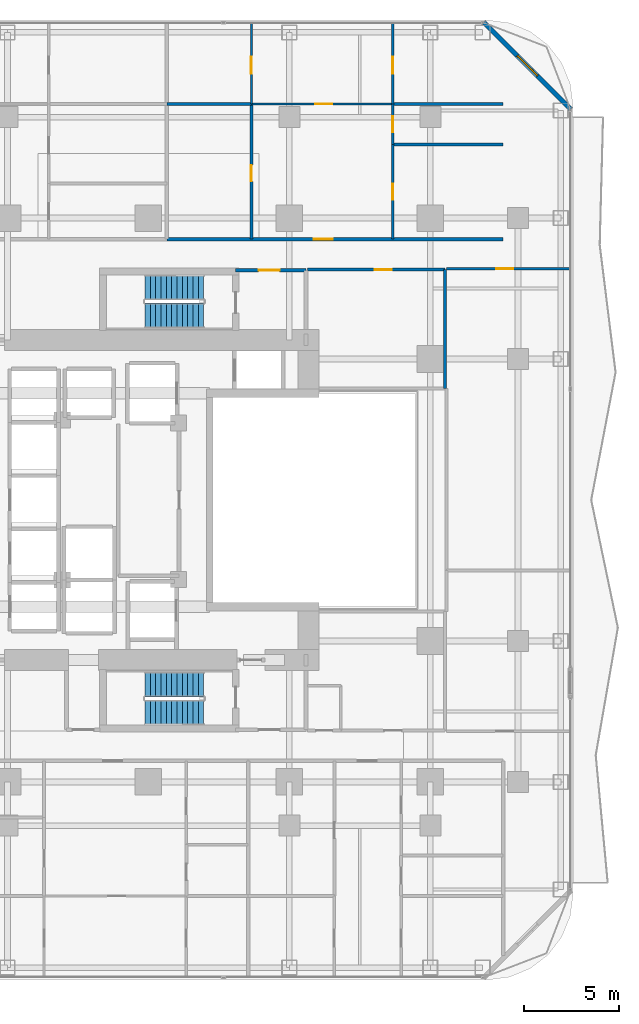
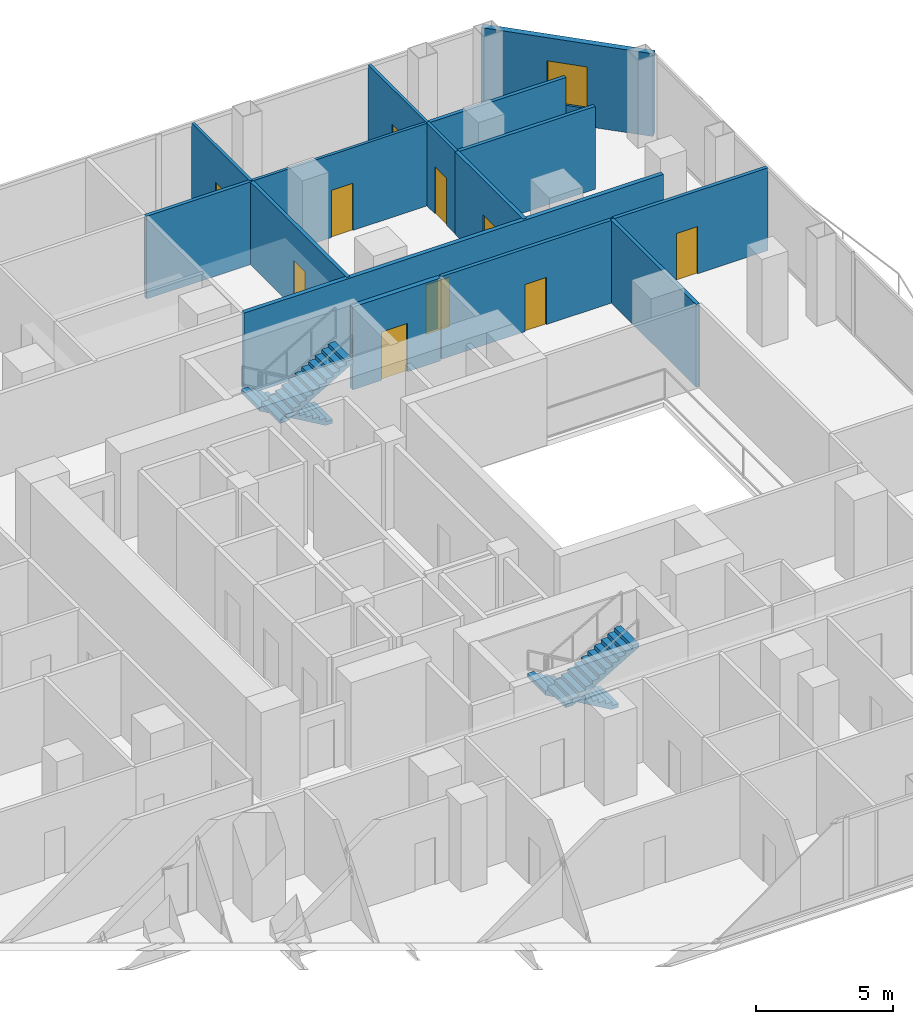
# One storey, part 24 of 29: 15 walls, 10 doors, 4 stair flights, 1 window, 11 openings, 2 elements without a shape of their own.
"""IFC4 building model written with IfcOpenShell, lengths in metres."""

from ifc_helpers import new_model, si_unit, direction, frame, frame_2d, origin, place, context, subcontext, project, spatial, polyline, rectangle, outline, extrude, material, layer, layer_set, type_object, element, fill, aggregate, save


model = new_model("IFC4")

# Units and contexts
model_context = context("Model", 3, precision=1e-05, world=origin(), true_north=direction((0.0, 1.0)))
body_context = subcontext(model_context, "Body", "Model", "MODEL_VIEW")
ifc_project = project(units=[si_unit("LENGTHUNIT", "METRE"), si_unit("AREAUNIT", "SQUARE_METRE"), si_unit("VOLUMEUNIT", "CUBIC_METRE"), si_unit("PLANEANGLEUNIT", "RADIAN"), si_unit("MASSUNIT", "GRAM", prefix="KILO")], contexts=[model_context])

# Site, building, storey
site_placement = place(None, origin())
site = spatial("IfcSite", under=ifc_project, at=site_placement, CompositionType="ELEMENT")
building_placement = place(site_placement, origin())
building = spatial("IfcBuilding", under=site, at=building_placement, Name="Khorvyn Point Tower", CompositionType="ELEMENT")
storey_placement = place(building_placement, frame((0.0, 0.0, 61.800048828125)))
storey = spatial("IfcBuildingStorey", under=building, at=storey_placement, Name="L16", CompositionType="ELEMENT", Elevation=61.800048828125)

# Wall, opening, door
ifc_material_1 = material(Name="Double acoustic gypsum on twin steel stud", Category="steel")
ifc_layer_1 = layer(ifc_material_1, 0.179931640625)
ifc_layer_set_1 = layer_set([ifc_layer_1], Name="Acoustic Double-Stud Apartment Demising Wall 180")
wall_type_1 = type_object("IfcWallType", Name="Acoustic Double-Stud Apartment Demising Wall 180", PredefinedType="PARTITIONING", material=ifc_layer_set_1)
wall_1_placement = place(storey_placement, frame((0.97412109375, 13.699951171875, 0.0), z_axis=(0.0, 0.0, 1.0), x_axis=(1.0, 0.0, 0.0)))
wall_1 = element("IfcWall", 1, at=wall_1_placement, inside=storey, type_object=wall_type_1, Name="Wall", PredefinedType="PARTITIONING", context=body_context, shape_type="SweptSolid", body=[
    extrude(rectangle(XDim=17.64599609375, YDim=0.179931640625, at=frame_2d((8.822998046875, 0.0))), origin(), (0.0, 0.0, 1.0), 3.679931640625),
])
opening_1_placement = place(wall_1_placement, frame((7.695068359375, 0.0, 0.0)))
opening_1 = element("IfcOpeningElement", 2, at=opening_1_placement, cuts=wall_1, Name="Opening ID-AP60", PredefinedType="OPENING", context=body_context, shape_type="SweptSolid", body=[
    extrude(rectangle(XDim=1.0, YDim=2.199951171875, at=frame_2d((0.5, 1.10009765625))), frame((0.0, 0.099853515625, 0.0), z_axis=(0.0, -1.0, 0.0), x_axis=(1.0, 0.0, 0.0)), (0.0, 0.0, 1.0), 0.199951171875),
])
ifc_material_2 = material(Name="Engineered hardwood fire-rated leaf", Category="wood")
door_type_1 = type_object("IfcDoorType", Name="Acoustic Solid-Core Timber Apartment Entrance Door 1000x2200", OperationType="NOTDEFINED", PredefinedType="DOOR", material=ifc_material_2)
door_1_placement = place(opening_1_placement, origin())
door_1 = element("IfcDoor", 3, at=door_1_placement, inside=storey, type_object=door_type_1, Name="Door", OperationType="SINGLE_SWING_RIGHT", OverallHeight=2.199951171875, OverallWidth=1.0, PredefinedType="DOOR", context=body_context, shape_type="SweptSolid", body=[
    extrude(rectangle(XDim=1.0, YDim=2.199951171875, at=frame_2d((0.5, 1.10009765625))), frame((0.0, 0.02490234375, 0.0), z_axis=(0.0, -1.0, 0.0), x_axis=(1.0, 0.0, 0.0)), (0.0, 0.0, 1.0), 0.050048828125),
])
fill(opening_1, door_1)

# Wall, opening, window
ifc_material_3 = material(Name="Pale anodised aluminium rainscreen on steel stud", Category="steel")
ifc_layer_2 = layer(ifc_material_3, 0.239990234375)
ifc_layer_set_2 = layer_set([ifc_layer_2], Name="Anodised Aluminium Insulated Corner Spandrel Wall 240")
wall_type_2 = type_object("IfcWallType", Name="Anodised Aluminium Insulated Corner Spandrel Wall 240", PredefinedType="SOLIDWALL", material=ifc_layer_set_2)
wall_2_placement = place(storey_placement, frame((17.607666015625, 25.09228515625, 0.0), z_axis=(0.0, 0.0, 1.0), x_axis=(0.707106781187, -0.707106781187, 0.0)))
wall_2 = element("IfcWall", 4, at=wall_2_placement, inside=storey, type_object=wall_type_2, Name="L16 Rounded Corner Wall NE", PredefinedType="SOLIDWALL", context=body_context, shape_type="SweptSolid", body=[
    extrude(rectangle(XDim=6.48388671875, YDim=0.239990234375, at=frame_2d((3.241943359375, 0.0))), origin(), (0.0, 0.0, 1.0), 3.679931640625),
])
opening_2_placement = place(wall_2_placement, frame((2.491943359375, 0.0, 0.800048828125)))
opening_2 = element("IfcOpeningElement", 5, at=opening_2_placement, cuts=wall_2, Name="Opening WN-1518", PredefinedType="OPENING", context=body_context, shape_type="SweptSolid", body=[
    extrude(rectangle(XDim=1.5, YDim=1.85009765625, at=frame_2d((0.75, 0.925048828125))), frame((0.0, 0.1298828125, 0.0), z_axis=(0.0, -1.0, 0.0), x_axis=(1.0, 0.0, 0.0)), (0.0, 0.0, 1.0), 0.260009765625),
])
ifc_material_4 = material(Name="Anodised aluminium 6063-T6 and laminated Low-E glass", Category="aluminium")
window_type = type_object("IfcWindowType", Name="Anodised Aluminium Rounded-Corner Panoramic Window 1500x1850", PartitioningType="SINGLE_PANEL", PredefinedType="WINDOW", material=ifc_material_4)
window_placement = place(opening_2_placement, origin())
window = element("IfcWindow", 6, at=window_placement, inside=storey, type_object=window_type, Name="L16 Corner Panoramic Window NE", OverallHeight=1.85009765625, OverallWidth=1.5, PartitioningType="SINGLE_PANEL", PredefinedType="WINDOW", context=body_context, shape_type="SweptSolid", body=[
    extrude(rectangle(XDim=1.5, YDim=1.85009765625, at=frame_2d((0.75, 0.925048828125))), frame((0.0, 0.030029296875, 0.0), z_axis=(0.0, -1.0, 0.0), x_axis=(1.0, 0.0, 0.0)), (0.0, 0.0, 1.0), 0.06005859375),
])
fill(opening_2, window)

# Wall, opening, door
ifc_material_5 = material(Name="Concrete C40/50", Category="concrete")
ifc_layer_3 = layer(ifc_material_5, 0.199951171875)
ifc_layer_set_3 = layer_set([ifc_layer_3], Name="Concrete C40/50 Fire-Lobby Compartment Wall 200")
wall_type_3 = type_object("IfcWallType", Name="Concrete C40/50 Fire-Lobby Compartment Wall 200", PredefinedType="SOLIDWALL", material=ifc_layer_set_3)
wall_3_placement = place(storey_placement, frame((4.580078125, 12.06005859375, 0.0), z_axis=(0.0, 0.0, 1.0), x_axis=(1.0, 0.0, 0.0)))
wall_3 = element("IfcWall", 7, at=wall_3_placement, inside=storey, type_object=wall_type_3, Name="Wall", PredefinedType="SOLIDWALL", context=body_context, shape_type="SweptSolid", body=[
    extrude(rectangle(XDim=3.699951171875, YDim=0.199951171875, at=frame_2d((1.85009765625, 0.0))), origin(), (0.0, 0.0, 1.0), 3.679931640625),
])
opening_3_placement = place(wall_3_placement, frame((1.21240234375, 0.0, 0.0)))
opening_3 = element("IfcOpeningElement", 8, at=opening_3_placement, cuts=wall_3, Name="Opening ID-FL90", PredefinedType="OPENING", context=body_context, shape_type="SweptSolid", body=[
    extrude(rectangle(XDim=1.10009765625, YDim=2.14990234375, at=frame_2d((0.550048828125, 1.074951171875))), frame((0.0, 0.10986328125, 0.0), z_axis=(0.0, -1.0, 0.0), x_axis=(1.0, 0.0, 0.0)), (0.0, 0.0, 1.0), 0.219970703125),
])
ifc_material_6 = material(Name="Galvanised powder-coated steel", Category="steel")
door_type_2 = type_object("IfcDoorType", Name="Fire-Rated Steel Lobby and Stair Door 1100x2150", OperationType="NOTDEFINED", PredefinedType="DOOR", material=ifc_material_6)
door_2_placement = place(opening_3_placement, origin())
door_2 = element("IfcDoor", 9, at=door_2_placement, inside=storey, type_object=door_type_2, Name="Door", OperationType="SINGLE_SWING_LEFT", OverallHeight=2.14990234375, OverallWidth=1.10009765625, PredefinedType="DOOR", context=body_context, shape_type="SweptSolid", body=[
    extrude(rectangle(XDim=1.10009765625, YDim=2.14990234375, at=frame_2d((0.550048828125, 1.074951171875))), frame((0.0, 0.02490234375, 0.0), z_axis=(0.0, -1.0, 0.0), x_axis=(1.0, 0.0, 0.0)), (0.0, 0.0, 1.0), 0.050048828125),
])
fill(opening_3, door_2)

ifc_material_7 = material(Name="Gypsum plasterboard on steel stud", Category="steel")
ifc_layer_4 = layer(ifc_material_7, 0.1201171875)
ifc_layer_set_4 = layer_set([ifc_layer_4], Name="Gypsum Acoustic Stud Room Partition Wall 120")
wall_type_4 = type_object("IfcWallType", Name="Gypsum Acoustic Stud Room Partition Wall 120", PredefinedType="PARTITIONING", material=ifc_layer_set_4)
wall_4_placement = place(storey_placement, frame((5.412109375, 20.7900390625, 0.0), z_axis=(0.0, 0.0, 1.0), x_axis=(1.0, 0.0, 0.0)))
wall_4 = element("IfcWall", 10, at=wall_4_placement, inside=storey, type_object=wall_type_4, Name="Wall", PredefinedType="PARTITIONING", context=body_context, shape_type="SweptSolid", body=[
    extrude(rectangle(XDim=7.419921875, YDim=0.1201171875, at=frame_2d((3.7099609375, 0.0))), origin(), (0.0, 0.0, 1.0), 3.679931640625),
])
opening_4_placement = place(wall_4_placement, frame((3.3486328125, 0.0, 0.0)))
opening_4 = element("IfcOpeningElement", 11, at=opening_4_placement, cuts=wall_4, Name="Opening ID-RM90", PredefinedType="OPENING", context=body_context, shape_type="SweptSolid", body=[
    extrude(rectangle(XDim=0.89990234375, YDim=2.10009765625, at=frame_2d((0.449951171875, 1.050048828125))), frame((0.0, 0.070068359375, 0.0), z_axis=(0.0, -1.0, 0.0), x_axis=(1.0, 0.0, 0.0)), (0.0, 0.0, 1.0), 0.14013671875),
])
ifc_material_8 = material(Name="Engineered oak veneer timber", Category="wood")
door_type_3 = type_object("IfcDoorType", Name="Flush Engineered Timber Room Door 900x2100", OperationType="NOTDEFINED", PredefinedType="DOOR", material=ifc_material_8)
door_3_placement = place(opening_4_placement, origin())
door_3 = element("IfcDoor", 12, at=door_3_placement, inside=storey, type_object=door_type_3, Name="Door", OperationType="SINGLE_SWING_LEFT", OverallHeight=2.10009765625, OverallWidth=0.89990234375, PredefinedType="DOOR", context=body_context, shape_type="SweptSolid", body=[
    extrude(rectangle(XDim=0.89990234375, YDim=2.10009765625, at=frame_2d((0.449951171875, 1.050048828125))), frame((0.0, 0.02490234375, 0.0), z_axis=(0.0, -1.0, 0.0), x_axis=(1.0, 0.0, 0.0)), (0.0, 0.0, 1.0), 0.050048828125),
])
fill(opening_4, door_3)

wall_5_placement = place(storey_placement, frame((5.412109375, 20.7900390625, 0.0), z_axis=(0.0, 0.0, 1.0), x_axis=(0.0, 1.0, 0.0)))
wall_5 = element("IfcWall", 13, at=wall_5_placement, inside=storey, type_object=wall_type_4, Name="Wall", PredefinedType="PARTITIONING", context=body_context, shape_type="SweptSolid", body=[
    extrude(rectangle(XDim=4.239990234375, YDim=0.1201171875, at=frame_2d((2.1201171875, 0.0))), origin(), (0.0, 0.0, 1.0), 3.679931640625),
])
opening_5_placement = place(wall_5_placement, frame((1.581298828125, 0.0, 0.0)))
opening_5 = element("IfcOpeningElement", 14, at=opening_5_placement, cuts=wall_5, Name="Opening ID-RM90", PredefinedType="OPENING", context=body_context, shape_type="SweptSolid", body=[
    extrude(rectangle(XDim=0.89990234375, YDim=2.10009765625, at=frame_2d((0.449951171875, 1.050048828125))), frame((0.0, 0.070068359375, 0.0), z_axis=(0.0, -1.0, 0.0), x_axis=(1.0, 0.0, 0.0)), (0.0, 0.0, 1.0), 0.14013671875),
])
door_4_placement = place(opening_5_placement, origin())
door_4 = element("IfcDoor", 15, at=door_4_placement, inside=storey, type_object=door_type_3, Name="Door", OperationType="SINGLE_SWING_LEFT", OverallHeight=2.10009765625, OverallWidth=0.89990234375, PredefinedType="DOOR", context=body_context, shape_type="SweptSolid", body=[
    extrude(rectangle(XDim=0.89990234375, YDim=2.10009765625, at=frame_2d((0.449951171875, 1.050048828125))), frame((0.0, 0.02490234375, 0.0), z_axis=(0.0, -1.0, 0.0), x_axis=(1.0, 0.0, 0.0)), (0.0, 0.0, 1.0), 0.050048828125),
])
fill(opening_5, door_4)

wall_6_placement = place(storey_placement, frame((12.83203125, 18.6630859375, 0.0), z_axis=(0.0, 0.0, 1.0), x_axis=(0.0, 1.0, 0.0)))
wall_6 = element("IfcWall", 16, at=wall_6_placement, inside=storey, type_object=wall_type_4, Name="Wall", PredefinedType="PARTITIONING", context=body_context, shape_type="SweptSolid", body=[
    extrude(rectangle(XDim=2.126953125, YDim=0.1201171875, at=frame_2d((1.0634765625, 0.0))), origin(), (0.0, 0.0, 1.0), 3.679931640625),
])
opening_6_placement = place(wall_6_placement, frame((0.638427734375, 0.0, 0.0)))
opening_6 = element("IfcOpeningElement", 17, at=opening_6_placement, cuts=wall_6, Name="Opening ID-WC85", PredefinedType="OPENING", context=body_context, shape_type="SweptSolid", body=[
    extrude(rectangle(XDim=0.85009765625, YDim=2.10009765625, at=frame_2d((0.425048828125, 1.050048828125))), frame((0.0, 0.070068359375, 0.0), z_axis=(0.0, -1.0, 0.0), x_axis=(1.0, 0.0, 0.0)), (0.0, 0.0, 1.0), 0.14013671875),
])
ifc_material_9 = material(Name="High-pressure laminate on moisture-resistant core", Category="wood")
door_type_4 = type_object("IfcDoorType", Name="Moisture-Resistant Accessible Washroom Door 850x2100", OperationType="NOTDEFINED", PredefinedType="DOOR", material=ifc_material_9)
door_5_placement = place(opening_6_placement, origin())
door_5 = element("IfcDoor", 18, at=door_5_placement, inside=storey, type_object=door_type_4, Name="Door", OperationType="SINGLE_SWING_LEFT", OverallHeight=2.10009765625, OverallWidth=0.85009765625, PredefinedType="DOOR", context=body_context, shape_type="SweptSolid", body=[
    extrude(rectangle(XDim=0.85009765625, YDim=2.10009765625, at=frame_2d((0.425048828125, 1.050048828125))), frame((0.0, 0.02490234375, 0.0), z_axis=(0.0, -1.0, 0.0), x_axis=(1.0, 0.0, 0.0)), (0.0, 0.0, 1.0), 0.050048828125),
])
fill(opening_6, door_5)

wall_7_placement = place(storey_placement, frame((12.83203125, 20.7900390625, 0.0), z_axis=(0.0, 0.0, 1.0), x_axis=(0.0, 1.0, 0.0)))
wall_7 = element("IfcWall", 19, at=wall_7_placement, inside=storey, type_object=wall_type_4, Name="Wall", PredefinedType="PARTITIONING", context=body_context, shape_type="SweptSolid", body=[
    extrude(rectangle(XDim=4.239990234375, YDim=0.1201171875, at=frame_2d((2.1201171875, 0.0))), origin(), (0.0, 0.0, 1.0), 3.679931640625),
])
opening_7_placement = place(wall_7_placement, frame((1.581298828125, 0.0, 0.0)))
opening_7 = element("IfcOpeningElement", 20, at=opening_7_placement, cuts=wall_7, Name="Opening ID-RM90", PredefinedType="OPENING", context=body_context, shape_type="SweptSolid", body=[
    extrude(rectangle(XDim=0.89990234375, YDim=2.10009765625, at=frame_2d((0.449951171875, 1.050048828125))), frame((0.0, 0.070068359375, 0.0), z_axis=(0.0, -1.0, 0.0), x_axis=(1.0, 0.0, 0.0)), (0.0, 0.0, 1.0), 0.14013671875),
])
door_6_placement = place(opening_7_placement, origin())
door_6 = element("IfcDoor", 21, at=door_6_placement, inside=storey, type_object=door_type_3, Name="Door", OperationType="SINGLE_SWING_RIGHT", OverallHeight=2.10009765625, OverallWidth=0.89990234375, PredefinedType="DOOR", context=body_context, shape_type="SweptSolid", body=[
    extrude(rectangle(XDim=0.89990234375, YDim=2.10009765625, at=frame_2d((0.449951171875, 1.050048828125))), frame((0.0, 0.02490234375, 0.0), z_axis=(0.0, -1.0, 0.0), x_axis=(1.0, 0.0, 0.0)), (0.0, 0.0, 1.0), 0.050048828125),
])
fill(opening_7, door_6)

ifc_material_10 = material(Name="Moisture-resistant gypsum and cement board", Category="gypsum")
ifc_layer_5 = layer(ifc_material_10, 0.14990234375)
ifc_layer_set_5 = layer_set([ifc_layer_5], Name="Moisture-Resistant Wet-Room Partition Wall 150")
wall_type_5 = type_object("IfcWallType", Name="Moisture-Resistant Wet-Room Partition Wall 150", PredefinedType="PARTITIONING", material=ifc_layer_set_5)
wall_8_placement = place(storey_placement, frame((8.360107421875, 12.10009765625, 0.0), z_axis=(0.0, 0.0, 1.0), x_axis=(1.0, 0.0, 0.0)))
wall_8 = element("IfcWall", 22, at=wall_8_placement, inside=storey, type_object=wall_type_5, Name="Wall", PredefinedType="PARTITIONING", context=body_context, shape_type="SweptSolid", body=[
    extrude(rectangle(XDim=7.219970703125, YDim=0.14990234375, at=frame_2d((3.60986328125, 0.0))), origin(), (0.0, 0.0, 1.0), 3.679931640625),
])
opening_8_placement = place(wall_8_placement, frame((3.512939453125, 0.0, 0.0)))
opening_8 = element("IfcOpeningElement", 23, at=opening_8_placement, cuts=wall_8, Name="Opening ID-RM90", PredefinedType="OPENING", context=body_context, shape_type="SweptSolid", body=[
    extrude(rectangle(XDim=0.89990234375, YDim=2.10009765625, at=frame_2d((0.449951171875, 1.050048828125))), frame((0.0, 0.0849609375, 0.0), z_axis=(0.0, -1.0, 0.0), x_axis=(1.0, 0.0, 0.0)), (0.0, 0.0, 1.0), 0.169921875),
])
door_7_placement = place(opening_8_placement, origin())
door_7 = element("IfcDoor", 24, at=door_7_placement, inside=storey, type_object=door_type_3, Name="Door", OperationType="SINGLE_SWING_RIGHT", OverallHeight=2.10009765625, OverallWidth=0.89990234375, PredefinedType="DOOR", context=body_context, shape_type="SweptSolid", body=[
    extrude(rectangle(XDim=0.89990234375, YDim=2.10009765625, at=frame_2d((0.449951171875, 1.050048828125))), frame((0.0, 0.02490234375, 0.0), z_axis=(0.0, -1.0, 0.0), x_axis=(1.0, 0.0, 0.0)), (0.0, 0.0, 1.0), 0.050048828125),
])
fill(opening_8, door_7)

wall_9_placement = place(storey_placement, frame((5.412109375, 13.699951171875, 0.0), z_axis=(0.0, 0.0, 1.0), x_axis=(0.0, 1.0, 0.0)))
wall_9 = element("IfcWall", 25, at=wall_9_placement, inside=storey, type_object=wall_type_5, Name="Wall", PredefinedType="PARTITIONING", context=body_context, shape_type="SweptSolid", body=[
    extrude(rectangle(XDim=7.090087890625, YDim=0.14990234375, at=frame_2d((3.544921875, 0.0))), origin(), (0.0, 0.0, 1.0), 3.679931640625),
])
opening_9_placement = place(wall_9_placement, frame((3.0302734375, 0.0, 0.0)))
opening_9 = element("IfcOpeningElement", 26, at=opening_9_placement, cuts=wall_9, Name="Opening ID-WC85", PredefinedType="OPENING", context=body_context, shape_type="SweptSolid", body=[
    extrude(rectangle(XDim=0.85009765625, YDim=2.10009765625, at=frame_2d((0.425048828125, 1.050048828125))), frame((0.0, 0.0849609375, 0.0), z_axis=(0.0, -1.0, 0.0), x_axis=(1.0, 0.0, 0.0)), (0.0, 0.0, 1.0), 0.169921875),
])
door_8_placement = place(opening_9_placement, origin())
door_8 = element("IfcDoor", 27, at=door_8_placement, inside=storey, type_object=door_type_4, Name="Door", OperationType="SINGLE_SWING_RIGHT", OverallHeight=2.10009765625, OverallWidth=0.85009765625, PredefinedType="DOOR", context=body_context, shape_type="SweptSolid", body=[
    extrude(rectangle(XDim=0.85009765625, YDim=2.10009765625, at=frame_2d((0.425048828125, 1.050048828125))), frame((0.0, 0.02490234375, 0.0), z_axis=(0.0, -1.0, 0.0), x_axis=(1.0, 0.0, 0.0)), (0.0, 0.0, 1.0), 0.050048828125),
])
fill(opening_9, door_8)

wall_10_placement = place(storey_placement, frame((12.83203125, 13.699951171875, 0.0), z_axis=(0.0, 0.0, 1.0), x_axis=(0.0, 1.0, 0.0)))
wall_10 = element("IfcWall", 28, at=wall_10_placement, inside=storey, type_object=wall_type_5, Name="Wall", PredefinedType="PARTITIONING", context=body_context, shape_type="SweptSolid", body=[
    extrude(rectangle(XDim=4.963134765625, YDim=0.14990234375, at=frame_2d((2.4814453125, 0.0))), origin(), (0.0, 0.0, 1.0), 3.679931640625),
])
opening_10_placement = place(wall_10_placement, frame((2.056396484375, 0.0, 0.0)))
opening_10 = element("IfcOpeningElement", 29, at=opening_10_placement, cuts=wall_10, Name="Opening ID-WC85", PredefinedType="OPENING", context=body_context, shape_type="SweptSolid", body=[
    extrude(rectangle(XDim=0.85009765625, YDim=2.10009765625, at=frame_2d((0.425048828125, 1.050048828125))), frame((0.0, 0.0849609375, 0.0), z_axis=(0.0, -1.0, 0.0), x_axis=(1.0, 0.0, 0.0)), (0.0, 0.0, 1.0), 0.169921875),
])
door_9_placement = place(opening_10_placement, origin())
door_9 = element("IfcDoor", 30, at=door_9_placement, inside=storey, type_object=door_type_4, Name="Door", OperationType="SINGLE_SWING_RIGHT", OverallHeight=2.10009765625, OverallWidth=0.85009765625, PredefinedType="DOOR", context=body_context, shape_type="SweptSolid", body=[
    extrude(rectangle(XDim=0.85009765625, YDim=2.10009765625, at=frame_2d((0.425048828125, 1.050048828125))), frame((0.0, 0.02490234375, 0.0), z_axis=(0.0, -1.0, 0.0), x_axis=(1.0, 0.0, 0.0)), (0.0, 0.0, 1.0), 0.050048828125),
])
fill(opening_10, door_9)

wall_11_placement = place(storey_placement, frame((15.64990234375, 12.139892578125, 0.0), z_axis=(0.0, 0.0, 1.0), x_axis=(1.0, 0.0, 0.0)))
wall_11 = element("IfcWall", 31, at=wall_11_placement, inside=storey, type_object=wall_type_5, Name="Wall", PredefinedType="PARTITIONING", context=body_context, shape_type="SweptSolid", body=[
    extrude(rectangle(XDim=6.47021484375, YDim=0.14990234375, at=frame_2d((3.235107421875, 0.0))), origin(), (0.0, 0.0, 1.0), 3.679931640625),
])
opening_11_placement = place(wall_11_placement, frame((2.610107421875, 0.0, 0.0)))
opening_11 = element("IfcOpeningElement", 32, at=opening_11_placement, cuts=wall_11, Name="Opening ID-RM90", PredefinedType="OPENING", context=body_context, shape_type="SweptSolid", body=[
    extrude(rectangle(XDim=0.89990234375, YDim=2.10009765625, at=frame_2d((0.449951171875, 1.050048828125))), frame((0.0, 0.0849609375, 0.0), z_axis=(0.0, -1.0, 0.0), x_axis=(1.0, 0.0, 0.0)), (0.0, 0.0, 1.0), 0.169921875),
])
door_10_placement = place(opening_11_placement, origin())
door_10 = element("IfcDoor", 33, at=door_10_placement, inside=storey, type_object=door_type_3, Name="Door", OperationType="SINGLE_SWING_RIGHT", OverallHeight=2.10009765625, OverallWidth=0.89990234375, PredefinedType="DOOR", context=body_context, shape_type="SweptSolid", body=[
    extrude(rectangle(XDim=0.89990234375, YDim=2.10009765625, at=frame_2d((0.449951171875, 1.050048828125))), frame((0.0, 0.02490234375, 0.0), z_axis=(0.0, -1.0, 0.0), x_axis=(1.0, 0.0, 0.0)), (0.0, 0.0, 1.0), 0.050048828125),
])
fill(opening_11, door_10)

# Walls
wall_12_placement = place(storey_placement, frame((15.580078125, 5.85009765625, 0.0), z_axis=(0.0, 0.0, 1.0), x_axis=(0.0, 1.0, 0.0)))
element("IfcWall", 34, at=wall_12_placement, inside=storey, type_object=wall_type_5, Name="Wall", PredefinedType="PARTITIONING", context=body_context, shape_type="SweptSolid", body=[
    extrude(rectangle(XDim=6.25, YDim=0.14990234375, at=frame_2d((3.125, 0.0))), origin(), (0.0, 0.0, 1.0), 3.679931640625),
])
wall_13_placement = place(storey_placement, frame((0.97412109375, 20.7900390625, 0.0), z_axis=(0.0, 0.0, 1.0), x_axis=(1.0, 0.0, 0.0)))
element("IfcWall", 35, at=wall_13_placement, inside=storey, type_object=wall_type_5, Name="Wall", PredefinedType="PARTITIONING", context=body_context, shape_type="SweptSolid", body=[
    extrude(rectangle(XDim=4.43798828125, YDim=0.14990234375, at=frame_2d((2.218994140625, 0.0))), origin(), (0.0, 0.0, 1.0), 3.679931640625),
])
for number, where, z_axis, x_axis, name in (
    (36, (12.83203125, 18.6630859375, 0.0), (0.0, 0.0, 1.0), (1.0, 0.0, 0.0), "Wall"),
    (37, (12.83203125, 20.7900390625, 0.0), (0.0, 0.0, 1.0), (1.0, 0.0, 0.0), "Wall"),
):
    element("IfcWall", number, at=place(storey_placement, frame(where, z_axis=z_axis, x_axis=x_axis)), inside=storey, type_object=wall_type_5, Name=name, PredefinedType="PARTITIONING", context=body_context, shape_type="SweptSolid", body=[
        extrude(rectangle(XDim=5.7880859375, YDim=0.14990234375, at=frame_2d((2.89404296875, 0.0))), origin(), (0.0, 0.0, 1.0), 3.679931640625),
    ])

# Stair, stair flights
stair_type = type_object("IfcStairType", Name="Tower Concrete C40/50 Dogleg Exit Stair", PredefinedType="HALF_TURN_STAIR", material=ifc_material_5)
stair_1_placement = place(storey_placement, origin())
stair_1 = element("IfcStair", 38, at=stair_1_placement, inside=storey, type_object=stair_type, Name="L16 Tower Smokeproof Exit Stair South", PredefinedType="HALF_TURN_STAIR")
stair_flight_type = type_object("IfcStairFlightType", Name="Tower Concrete C40/50 Stair Flight", PredefinedType="STRAIGHT", material=ifc_material_5)
stair_flight_1_placement = place(storey_placement, frame((2.89990234375, -9.679931640625, 0.0), z_axis=(0.0, 0.0, 1.0), x_axis=(-1.0, 0.0, 0.0)))
stair_flight_1 = element("IfcStairFlight", 39, at=stair_flight_1_placement, type_object=stair_flight_type, Name="ST-01 flight 1", NumberOfRisers=12, NumberOfTreads=11, PredefinedType="STRAIGHT", RiserHeight=0.1625, TreadLength=0.28, context=body_context, shape_type="SweptSolid", body=[
    extrude(outline(polyline([(0.0, 0.0), (0.0, 0.16259765625), (0.280029296875, 0.16259765625), (0.280029296875, 0.324951171875), (0.56005859375, 0.324951171875), (0.56005859375, 0.487548828125), (0.840087890625, 0.487548828125), (0.840087890625, 0.64990234375), (1.1201171875, 0.64990234375), (1.1201171875, 0.8125), (1.39990234375, 0.8125), (1.39990234375, 0.97509765625), (1.679931640625, 0.97509765625), (1.679931640625, 1.137451171875), (1.9599609375, 1.137451171875), (1.9599609375, 1.300048828125), (2.239990234375, 1.300048828125), (2.239990234375, 1.46240234375), (2.52001953125, 1.46240234375), (2.52001953125, 1.625), (2.800048828125, 1.625), (2.800048828125, 1.78759765625), (3.080078125, 1.78759765625), (3.080078125, 1.949951171875), (3.080078125, 1.6142578125), (0.298583984375, 0.0), (0.0, 0.0)])), frame((0.0, 0.66015625, 0.0), z_axis=(0.0, -1.0, 0.0), x_axis=(1.0, 0.0, 0.0)), (0.0, 0.0, 1.0), 1.320068359375),
])
stair_flight_2_placement = place(storey_placement, frame((-0.179931640625, -11.159912109375, 1.949951171875), z_axis=(0.0, 0.0, 1.0), x_axis=(1.0, 0.0, 0.0)))
stair_flight_2 = element("IfcStairFlight", 40, at=stair_flight_2_placement, type_object=stair_flight_type, Name="ST-01 flight 2", NumberOfRisers=12, NumberOfTreads=11, PredefinedType="STRAIGHT", RiserHeight=0.1625, TreadLength=0.28, context=body_context, shape_type="SweptSolid", body=[
    extrude(outline(polyline([(0.0, 0.0), (0.0, 0.16259765625), (0.280029296875, 0.16259765625), (0.280029296875, 0.324951171875), (0.56005859375, 0.324951171875), (0.56005859375, 0.487548828125), (0.840087890625, 0.487548828125), (0.840087890625, 0.64990234375), (1.1201171875, 0.64990234375), (1.1201171875, 0.8125), (1.39990234375, 0.8125), (1.39990234375, 0.97509765625), (1.679931640625, 0.97509765625), (1.679931640625, 1.137451171875), (1.9599609375, 1.137451171875), (1.9599609375, 1.300048828125), (2.239990234375, 1.300048828125), (2.239990234375, 1.46240234375), (2.52001953125, 1.46240234375), (2.52001953125, 1.625), (2.800048828125, 1.625), (2.800048828125, 1.78759765625), (3.080078125, 1.78759765625), (3.080078125, 1.949951171875), (3.080078125, 1.6142578125), (0.298583984375, 0.0), (0.0, 0.0)])), frame((0.0, 0.66015625, 0.0), z_axis=(0.0, -1.0, 0.0), x_axis=(1.0, 0.0, 0.0)), (0.0, 0.0, 1.0), 1.320068359375),
])
aggregate(stair_1, [stair_flight_1, stair_flight_2])

stair_2_placement = place(storey_placement, origin())
stair_2 = element("IfcStair", 41, at=stair_2_placement, inside=storey, type_object=stair_type, Name="L16 Tower Smokeproof Exit Stair North", PredefinedType="HALF_TURN_STAIR")
stair_flight_3_placement = place(storey_placement, frame((2.89990234375, 11.159912109375, 0.0), z_axis=(0.0, 0.0, 1.0), x_axis=(-1.0, 0.0, 0.0)))
stair_flight_3 = element("IfcStairFlight", 42, at=stair_flight_3_placement, type_object=stair_flight_type, Name="ST-02 flight 1", NumberOfRisers=12, NumberOfTreads=11, PredefinedType="STRAIGHT", RiserHeight=0.1625, TreadLength=0.28, context=body_context, shape_type="SweptSolid", body=[
    extrude(outline(polyline([(0.0, 0.0), (0.0, 0.16259765625), (0.280029296875, 0.16259765625), (0.280029296875, 0.324951171875), (0.56005859375, 0.324951171875), (0.56005859375, 0.487548828125), (0.840087890625, 0.487548828125), (0.840087890625, 0.64990234375), (1.1201171875, 0.64990234375), (1.1201171875, 0.8125), (1.39990234375, 0.8125), (1.39990234375, 0.97509765625), (1.679931640625, 0.97509765625), (1.679931640625, 1.137451171875), (1.9599609375, 1.137451171875), (1.9599609375, 1.300048828125), (2.239990234375, 1.300048828125), (2.239990234375, 1.46240234375), (2.52001953125, 1.46240234375), (2.52001953125, 1.625), (2.800048828125, 1.625), (2.800048828125, 1.78759765625), (3.080078125, 1.78759765625), (3.080078125, 1.949951171875), (3.080078125, 1.6142578125), (0.298583984375, 0.0), (0.0, 0.0)])), frame((0.0, 0.66015625, 0.0), z_axis=(0.0, -1.0, 0.0), x_axis=(1.0, 0.0, 0.0)), (0.0, 0.0, 1.0), 1.320068359375),
])
stair_flight_4_placement = place(storey_placement, frame((-0.179931640625, 9.679931640625, 1.949951171875), z_axis=(0.0, 0.0, 1.0), x_axis=(1.0, 0.0, 0.0)))
stair_flight_4 = element("IfcStairFlight", 43, at=stair_flight_4_placement, type_object=stair_flight_type, Name="ST-02 flight 2", NumberOfRisers=12, NumberOfTreads=11, PredefinedType="STRAIGHT", RiserHeight=0.1625, TreadLength=0.28, context=body_context, shape_type="SweptSolid", body=[
    extrude(outline(polyline([(0.0, 0.0), (0.0, 0.16259765625), (0.280029296875, 0.16259765625), (0.280029296875, 0.324951171875), (0.56005859375, 0.324951171875), (0.56005859375, 0.487548828125), (0.840087890625, 0.487548828125), (0.840087890625, 0.64990234375), (1.1201171875, 0.64990234375), (1.1201171875, 0.8125), (1.39990234375, 0.8125), (1.39990234375, 0.97509765625), (1.679931640625, 0.97509765625), (1.679931640625, 1.137451171875), (1.9599609375, 1.137451171875), (1.9599609375, 1.300048828125), (2.239990234375, 1.300048828125), (2.239990234375, 1.46240234375), (2.52001953125, 1.46240234375), (2.52001953125, 1.625), (2.800048828125, 1.625), (2.800048828125, 1.78759765625), (3.080078125, 1.78759765625), (3.080078125, 1.949951171875), (3.080078125, 1.6142578125), (0.298583984375, 0.0), (0.0, 0.0)])), frame((0.0, 0.66015625, 0.0), z_axis=(0.0, -1.0, 0.0), x_axis=(1.0, 0.0, 0.0)), (0.0, 0.0, 1.0), 1.320068359375),
])
aggregate(stair_2, [stair_flight_3, stair_flight_4])

save(model, "model.ifc")
